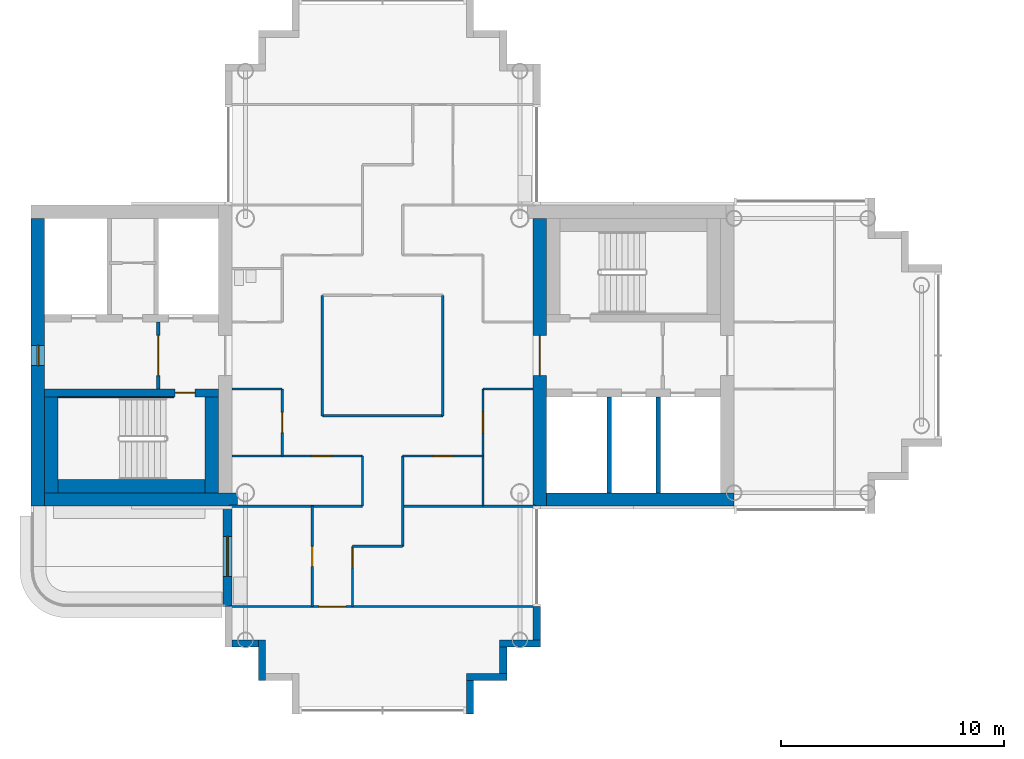
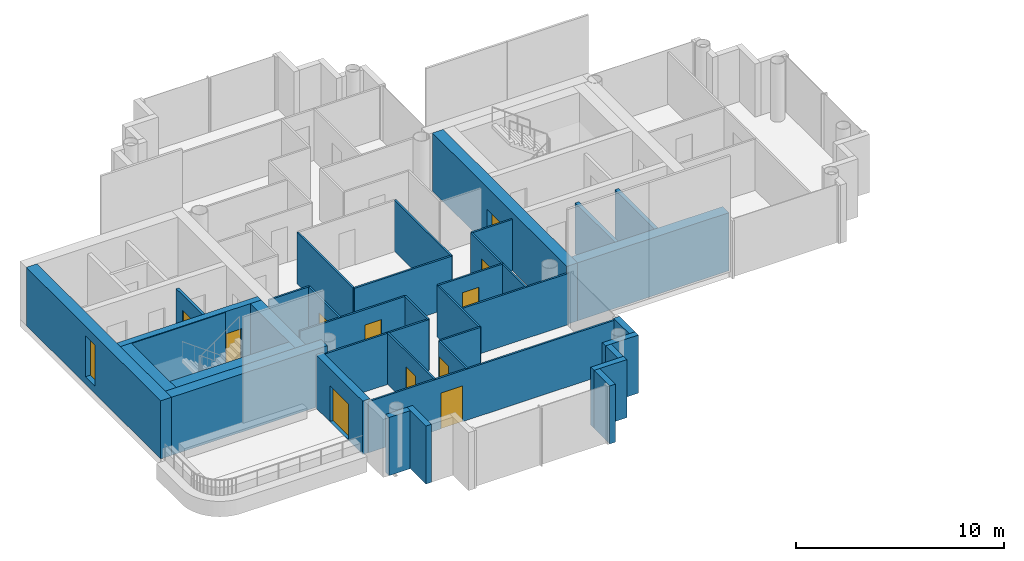
# One storey, part 6 of 18: 37 walls, 11 doors, 1 window, 12 openings.
"""IFC4 building model written with IfcOpenShell, lengths in metres."""

from ifc_helpers import new_model, si_unit, direction, frame, frame_2d, origin, place, context, subcontext, project, spatial, rectangle, extrude, material, layer, layer_set, type_object, element, fill, save


model = new_model("IFC4")

# Units and contexts
model_context = context("Model", 3, precision=1e-05, world=origin(), true_north=direction((0.0, 1.0)))
body_context = subcontext(model_context, "Body", "Model", "MODEL_VIEW")
ifc_project = project(units=[si_unit("LENGTHUNIT", "METRE"), si_unit("AREAUNIT", "SQUARE_METRE"), si_unit("VOLUMEUNIT", "CUBIC_METRE"), si_unit("PLANEANGLEUNIT", "RADIAN"), si_unit("MASSUNIT", "GRAM", prefix="KILO")], contexts=[model_context])

# Site, building, storey
site_placement = place(None, origin())
site = spatial("IfcSite", under=ifc_project, at=site_placement, CompositionType="ELEMENT")
building_placement = place(site_placement, origin())
building = spatial("IfcBuilding", under=site, at=building_placement, Name="Ipe Terrace Towers", CompositionType="ELEMENT")
storey_placement = place(building_placement, frame((0.0, 0.0, 219.800048828125)))
storey = spatial("IfcBuildingStorey", under=building, at=storey_placement, Name="L61", CompositionType="ELEMENT", Elevation=219.800048828125)

# Wall, opening, door
ifc_material_1 = material(Name="Concrete C40/50 with buff precast cladding", Category="concrete")
ifc_layer_1 = layer(ifc_material_1, 0.39990234375)
ifc_layer_set_1 = layer_set([ifc_layer_1], Name="BALCONY BAY WALL 400")
wall_type_1 = type_object("IfcWallType", Name="BALCONY BAY WALL 400", PredefinedType="STANDARD", material=ifc_layer_set_1)
wall_1_placement = place(storey_placement, frame((-42.949951171875, -6.75, -0.02001953125), z_axis=(0.0, 0.0, 1.0), x_axis=(0.0, -1.0, 0.0)))
wall_1 = element("IfcWall", 1, at=wall_1_placement, inside=storey, type_object=wall_type_1, Name="T1-W-L61-02a wall", PredefinedType="STANDARD", context=body_context, shape_type="SweptSolid", body=[
    extrude(rectangle(XDim=4.5, YDim=0.39990234375, at=frame_2d((2.25, 0.0))), origin(), (0.0, 0.0, 1.0), 3.119873046875),
])
opening_1_placement = place(wall_1_placement, frame((1.35009765625, 0.0, 0.02001953125)))
opening_1 = element("IfcOpeningElement", 2, at=opening_1_placement, cuts=wall_1, Name="Opening T1-D-L61-02", PredefinedType="OPENING", context=body_context, shape_type="SweptSolid", body=[
    extrude(rectangle(XDim=1.800048828125, YDim=2.10009765625, at=frame_2d((0.89990234375, 1.050048828125))), frame((0.0, 0.2099609375, 0.0), z_axis=(0.0, -1.0, 0.0), x_axis=(1.0, 0.0, 0.0)), (0.0, 0.0, 1.0), 0.419921875),
])
ifc_material_2 = material(Name="Aluminium alloy 6063-T6 framed glazed door", Category="aluminium")
door_type_1 = type_object("IfcDoorType", Name="BALCONY DOOR 1800 x 2100 LEFT", OperationType="SINGLE_SWING_LEFT", PredefinedType="DOOR", material=ifc_material_2)
door_1_placement = place(opening_1_placement, origin())
door_1 = element("IfcDoor", 3, at=door_1_placement, inside=storey, type_object=door_type_1, Name="DB1 door", OperationType="SINGLE_SWING_LEFT", OverallHeight=2.10009765625, OverallWidth=1.800048828125, PredefinedType="DOOR", context=body_context, shape_type="SweptSolid", body=[
    extrude(rectangle(XDim=1.800048828125, YDim=2.10009765625, at=frame_2d((0.89990234375, 1.050048828125))), frame((0.0, 0.02490234375, 0.0), z_axis=(0.0, -1.0, 0.0), x_axis=(1.0, 0.0, 0.0)), (0.0, 0.0, 1.0), 0.050048828125),
])
fill(opening_1, door_1)

# Walls
ifc_material_3 = material(Name="Concrete C40/50 with buff precast cladding", Category="concrete")
ifc_layer_2 = layer(ifc_material_3, 0.320068359375)
ifc_layer_set_2 = layer_set([ifc_layer_2], Name="BUFF CLADDING WALL 320")
wall_type_2 = type_object("IfcWallType", Name="BUFF CLADDING WALL 320", PredefinedType="STANDARD", material=ifc_layer_set_2)
wall_2_placement = place(storey_placement, frame((-42.75, -12.909912109375, -0.300048828125), z_axis=(0.0, 0.0, 1.0), x_axis=(1.0, 0.0, 0.0)))
element("IfcWall", 4, at=wall_2_placement, inside=storey, type_object=wall_type_2, Name="T1-W-L61-04a wall", PredefinedType="STANDARD", context=body_context, shape_type="SweptSolid", body=[
    extrude(rectangle(XDim=1.179931640625, YDim=0.320068359375, at=frame_2d((0.58984375, 0.0))), origin(), (0.0, 0.0, 1.0), 3.39990234375),
])
wall_3_placement = place(storey_placement, frame((-41.409912109375, -12.75, -0.300048828125), z_axis=(0.0, 0.0, 1.0), x_axis=(0.0, -1.0, 0.0)))
element("IfcWall", 5, at=wall_3_placement, inside=storey, type_object=wall_type_2, Name="T1-W-L61-05a wall", PredefinedType="STANDARD", context=body_context, shape_type="SweptSolid", body=[
    extrude(rectangle(XDim=1.820068359375, YDim=0.320068359375, at=frame_2d((0.91015625, 0.0))), origin(), (0.0, 0.0, 1.0), 3.39990234375),
])
wall_4_placement = place(storey_placement, frame((-32.090087890625, -16.070068359375, -0.300048828125), z_axis=(0.0, 0.0, 1.0), x_axis=(0.0, 1.0, 0.0)))
element("IfcWall", 6, at=wall_4_placement, inside=storey, type_object=wall_type_2, Name="T1-W-L61-09a wall", PredefinedType="STANDARD", context=body_context, shape_type="SweptSolid", body=[
    extrude(rectangle(XDim=1.5, YDim=0.320068359375, at=frame_2d((0.75, 0.0))), origin(), (0.0, 0.0, 1.0), 3.39990234375),
])
wall_5_placement = place(storey_placement, frame((-32.25, -14.409912109375, -0.300048828125), z_axis=(0.0, 0.0, 1.0), x_axis=(1.0, 0.0, 0.0)))
element("IfcWall", 7, at=wall_5_placement, inside=storey, type_object=wall_type_2, Name="T1-W-L61-10a wall", PredefinedType="STANDARD", context=body_context, shape_type="SweptSolid", body=[
    extrude(rectangle(XDim=1.820068359375, YDim=0.320068359375, at=frame_2d((0.91015625, 0.0))), origin(), (0.0, 0.0, 1.0), 3.39990234375),
])
wall_6_placement = place(storey_placement, frame((-30.590087890625, -14.25, -0.300048828125), z_axis=(0.0, 0.0, 1.0), x_axis=(0.0, 1.0, 0.0)))
element("IfcWall", 8, at=wall_6_placement, inside=storey, type_object=wall_type_2, Name="T1-W-L61-11a wall", PredefinedType="STANDARD", context=body_context, shape_type="SweptSolid", body=[
    extrude(rectangle(XDim=1.179931640625, YDim=0.320068359375, at=frame_2d((0.58984375, 0.0))), origin(), (0.0, 0.0, 1.0), 3.39990234375),
])
wall_7_placement = place(storey_placement, frame((-30.75, -12.909912109375, -0.300048828125), z_axis=(0.0, 0.0, 1.0), x_axis=(1.0, 0.0, 0.0)))
element("IfcWall", 9, at=wall_7_placement, inside=storey, type_object=wall_type_2, Name="T1-W-L61-12a wall", PredefinedType="STANDARD", context=body_context, shape_type="SweptSolid", body=[
    extrude(rectangle(XDim=1.820068359375, YDim=0.320068359375, at=frame_2d((0.91015625, 0.0))), origin(), (0.0, 0.0, 1.0), 3.39990234375),
])
wall_8_placement = place(storey_placement, frame((-29.090087890625, -12.75, -0.300048828125), z_axis=(0.0, 0.0, 1.0), x_axis=(0.0, 1.0, 0.0)))
element("IfcWall", 10, at=wall_8_placement, inside=storey, type_object=wall_type_2, Name="T1-W-L61-13a wall", PredefinedType="STANDARD", context=body_context, shape_type="SweptSolid", body=[
    extrude(rectangle(XDim=1.5, YDim=0.320068359375, at=frame_2d((0.75, 0.0))), origin(), (0.0, 0.0, 1.0), 3.39990234375),
])

# Wall, opening, door
ifc_material_4 = material(Name="Gypsum board partition", Category="plasterboard")
ifc_layer_3 = layer(ifc_material_4, 0.10009765625)
ifc_layer_set_3 = layer_set([ifc_layer_3], Name="Gypsum board partition 100 mm")
wall_type_3 = type_object("IfcWallType", Name="Gypsum board partition 100 mm", PredefinedType="PARTITIONING", material=ifc_layer_set_3)
wall_9_placement = place(storey_placement, frame((-40.5, -4.5, 0.0), z_axis=(0.0, 0.0, 1.0), x_axis=(0.0, 1.0, 0.0)))
wall_9 = element("IfcWall", 11, at=wall_9_placement, inside=storey, type_object=wall_type_3, Name="Gypsum board partition T1 L61 W01", PredefinedType="PARTITIONING", context=body_context, shape_type="SweptSolid", body=[
    extrude(rectangle(XDim=3.0, YDim=0.10009765625, at=frame_2d((1.5, 0.0))), origin(), (0.0, 0.0, 1.0), 3.0),
])
opening_2_placement = place(wall_9_placement, frame((1.050048828125, 0.0, 0.0)))
opening_2 = element("IfcOpeningElement", 12, at=opening_2_placement, cuts=wall_9, Name="Opening T1-Z4F-06", PredefinedType="OPENING", context=body_context, shape_type="SweptSolid", body=[
    extrude(rectangle(XDim=0.89990234375, YDim=2.10009765625, at=frame_2d((0.449951171875, 1.050048828125))), frame((0.0, 0.06005859375, 0.0), z_axis=(0.0, -1.0, 0.0), x_axis=(1.0, 0.0, 0.0)), (0.0, 0.0, 1.0), 0.1201171875),
])
ifc_material_5 = material(Name="Timber door leaf", Category="wood")
door_type_2 = type_object("IfcDoorType", Name="Lounge door 900 x 2100", OperationType="NOTDEFINED", PredefinedType="DOOR", material=ifc_material_5)
door_2_placement = place(opening_2_placement, origin())
door_2 = element("IfcDoor", 13, at=door_2_placement, inside=storey, type_object=door_type_2, Name="Lounge door T1-Z4F-06", OperationType="SINGLE_SWING_LEFT", OverallHeight=2.10009765625, OverallWidth=0.89990234375, PredefinedType="DOOR", context=body_context, shape_type="SweptSolid", body=[
    extrude(rectangle(XDim=0.89990234375, YDim=2.10009765625, at=frame_2d((0.449951171875, 1.050048828125))), frame((0.0, 0.02490234375, 0.0), z_axis=(0.0, -1.0, 0.0), x_axis=(1.0, 0.0, 0.0)), (0.0, 0.0, 1.0), 0.050048828125),
])
fill(opening_2, door_2)

wall_10_placement = place(storey_placement, frame((-39.14990234375, -11.25, 0.0), z_axis=(0.0, 0.0, 1.0), x_axis=(0.0, 1.0, 0.0)))
wall_10 = element("IfcWall", 14, at=wall_10_placement, inside=storey, type_object=wall_type_3, Name="Gypsum board partition T1 L61 W03", PredefinedType="PARTITIONING", context=body_context, shape_type="SweptSolid", body=[
    extrude(rectangle(XDim=4.5, YDim=0.10009765625, at=frame_2d((2.25, 0.0))), origin(), (0.0, 0.0, 1.0), 3.0),
])
opening_3_placement = place(wall_10_placement, frame((1.800048828125, 0.0, 0.0)))
opening_3 = element("IfcOpeningElement", 15, at=opening_3_placement, cuts=wall_10, Name="Opening T1-Z4F-13", PredefinedType="OPENING", context=body_context, shape_type="SweptSolid", body=[
    extrude(rectangle(XDim=0.89990234375, YDim=2.10009765625, at=frame_2d((0.449951171875, 1.050048828125))), frame((0.0, 0.06005859375, 0.0), z_axis=(0.0, -1.0, 0.0), x_axis=(1.0, 0.0, 0.0)), (0.0, 0.0, 1.0), 0.1201171875),
])
door_3_placement = place(opening_3_placement, origin())
door_3 = element("IfcDoor", 16, at=door_3_placement, inside=storey, type_object=door_type_2, Name="Lounge door T1-Z4F-13", OperationType="SINGLE_SWING_LEFT", OverallHeight=2.10009765625, OverallWidth=0.89990234375, PredefinedType="DOOR", context=body_context, shape_type="SweptSolid", body=[
    extrude(rectangle(XDim=0.89990234375, YDim=2.10009765625, at=frame_2d((0.449951171875, 1.050048828125))), frame((0.0, 0.02490234375, 0.0), z_axis=(0.0, -1.0, 0.0), x_axis=(1.0, 0.0, 0.0)), (0.0, 0.0, 1.0), 0.050048828125),
])
fill(opening_3, door_3)

# Wall
wall_11_placement = place(storey_placement, frame((-38.699951171875, -2.699951171875, 0.0), z_axis=(0.0, 0.0, 1.0), x_axis=(0.0, 1.0, 0.0)))
element("IfcWall", 17, at=wall_11_placement, inside=storey, type_object=wall_type_3, Name="Gypsum board partition T1 L61 W04", PredefinedType="PARTITIONING", context=body_context, shape_type="SweptSolid", body=[
    extrude(rectangle(XDim=5.39990234375, YDim=0.10009765625, at=frame_2d((2.699951171875, 0.0))), origin(), (0.0, 0.0, 1.0), 3.0),
])

# Wall, opening, door
wall_12_placement = place(storey_placement, frame((-37.35009765625, -11.25, 0.0), z_axis=(0.0, 0.0, 1.0), x_axis=(0.0, 1.0, 0.0)))
wall_12 = element("IfcWall", 18, at=wall_12_placement, inside=storey, type_object=wall_type_3, Name="Gypsum board partition T1 L61 W05", PredefinedType="PARTITIONING", context=body_context, shape_type="SweptSolid", body=[
    extrude(rectangle(XDim=2.699951171875, YDim=0.10009765625, at=frame_2d((1.35009765625, 0.0))), origin(), (0.0, 0.0, 1.0), 3.0),
])
opening_4_placement = place(wall_12_placement, frame((1.72998046875, 0.0, 0.0)))
opening_4 = element("IfcOpeningElement", 19, at=opening_4_placement, cuts=wall_12, Name="Opening T1-Z4F-12", PredefinedType="OPENING", context=body_context, shape_type="SweptSolid", body=[
    extrude(rectangle(XDim=0.89990234375, YDim=2.10009765625, at=frame_2d((0.449951171875, 1.050048828125))), frame((0.0, 0.06005859375, 0.0), z_axis=(0.0, -1.0, 0.0), x_axis=(1.0, 0.0, 0.0)), (0.0, 0.0, 1.0), 0.1201171875),
])
door_4_placement = place(opening_4_placement, origin())
door_4 = element("IfcDoor", 20, at=door_4_placement, inside=storey, type_object=door_type_2, Name="Lounge door T1-Z4F-12", OperationType="SINGLE_SWING_RIGHT", OverallHeight=2.10009765625, OverallWidth=0.89990234375, PredefinedType="DOOR", context=body_context, shape_type="SweptSolid", body=[
    extrude(rectangle(XDim=0.89990234375, YDim=2.10009765625, at=frame_2d((0.449951171875, 1.050048828125))), frame((0.0, 0.02490234375, 0.0), z_axis=(0.0, -1.0, 0.0), x_axis=(1.0, 0.0, 0.0)), (0.0, 0.0, 1.0), 0.050048828125),
])
fill(opening_4, door_4)

# Walls
wall_13_placement = place(storey_placement, frame((-36.89990234375, -6.75, 0.0), z_axis=(0.0, 0.0, 1.0), x_axis=(0.0, 1.0, 0.0)))
element("IfcWall", 21, at=wall_13_placement, inside=storey, type_object=wall_type_3, Name="Gypsum board partition T1 L61 W06", PredefinedType="PARTITIONING", context=body_context, shape_type="SweptSolid", body=[
    extrude(rectangle(XDim=2.25, YDim=0.10009765625, at=frame_2d((1.125, 0.0))), origin(), (0.0, 0.0, 1.0), 3.0),
])
wall_14_placement = place(storey_placement, frame((-35.10009765625, -8.550048828125, 0.0), z_axis=(0.0, 0.0, 1.0), x_axis=(0.0, 1.0, 0.0)))
element("IfcWall", 22, at=wall_14_placement, inside=storey, type_object=wall_type_3, Name="Gypsum board partition T1 L61 W08", PredefinedType="PARTITIONING", context=body_context, shape_type="SweptSolid", body=[
    extrude(rectangle(XDim=4.050048828125, YDim=0.10009765625, at=frame_2d((2.02490234375, 0.0))), origin(), (0.0, 0.0, 1.0), 3.0),
])
wall_15_placement = place(storey_placement, frame((-33.300048828125, -2.699951171875, 0.0), z_axis=(0.0, 0.0, 1.0), x_axis=(0.0, 1.0, 0.0)))
element("IfcWall", 23, at=wall_15_placement, inside=storey, type_object=wall_type_3, Name="Gypsum board partition T1 L61 W11", PredefinedType="PARTITIONING", context=body_context, shape_type="SweptSolid", body=[
    extrude(rectangle(XDim=5.39990234375, YDim=0.10009765625, at=frame_2d((2.699951171875, 0.0))), origin(), (0.0, 0.0, 1.0), 3.0),
])

# Wall, opening, door
wall_16_placement = place(storey_placement, frame((-31.5, -6.75, 0.0), z_axis=(0.0, 0.0, 1.0), x_axis=(0.0, 1.0, 0.0)))
wall_16 = element("IfcWall", 24, at=wall_16_placement, inside=storey, type_object=wall_type_3, Name="Gypsum board partition T1 L61 W13", PredefinedType="PARTITIONING", context=body_context, shape_type="SweptSolid", body=[
    extrude(rectangle(XDim=5.25, YDim=0.10009765625, at=frame_2d((2.625, 0.0))), origin(), (0.0, 0.0, 1.0), 3.0),
])
opening_5_placement = place(wall_16_placement, frame((3.300048828125, 0.0, 0.0)))
opening_5 = element("IfcOpeningElement", 25, at=opening_5_placement, cuts=wall_16, Name="Opening T1-Z4F-08", PredefinedType="OPENING", context=body_context, shape_type="SweptSolid", body=[
    extrude(rectangle(XDim=0.89990234375, YDim=2.10009765625, at=frame_2d((0.449951171875, 1.050048828125))), frame((0.0, 0.06005859375, 0.0), z_axis=(0.0, -1.0, 0.0), x_axis=(1.0, 0.0, 0.0)), (0.0, 0.0, 1.0), 0.1201171875),
])
door_5_placement = place(opening_5_placement, origin())
door_5 = element("IfcDoor", 26, at=door_5_placement, inside=storey, type_object=door_type_2, Name="Lounge door T1-Z4F-08", OperationType="SINGLE_SWING_RIGHT", OverallHeight=2.10009765625, OverallWidth=0.89990234375, PredefinedType="DOOR", context=body_context, shape_type="SweptSolid", body=[
    extrude(rectangle(XDim=0.89990234375, YDim=2.10009765625, at=frame_2d((0.449951171875, 1.050048828125))), frame((0.0, 0.02490234375, 0.0), z_axis=(0.0, -1.0, 0.0), x_axis=(1.0, 0.0, 0.0)), (0.0, 0.0, 1.0), 0.050048828125),
])
fill(opening_5, door_5)

wall_17_placement = place(storey_placement, frame((-42.85009765625, -11.25, 0.0), z_axis=(0.0, 0.0, 1.0), x_axis=(1.0, 0.0, 0.0)))
wall_17 = element("IfcWall", 27, at=wall_17_placement, inside=storey, type_object=wall_type_3, Name="Gypsum board partition T1 L61 W16", PredefinedType="PARTITIONING", context=body_context, shape_type="SweptSolid", body=[
    extrude(rectangle(XDim=13.7001953125, YDim=0.10009765625, at=frame_2d((6.85009765625, 0.0))), origin(), (0.0, 0.0, 1.0), 3.0),
])
opening_6_placement = place(wall_17_placement, frame((4.0, 0.0, 0.0)))
opening_6 = element("IfcOpeningElement", 28, at=opening_6_placement, cuts=wall_17, Name="Opening T1-Z4F-14", PredefinedType="OPENING", context=body_context, shape_type="SweptSolid", body=[
    extrude(rectangle(XDim=1.199951171875, YDim=2.10009765625, at=frame_2d((0.60009765625, 1.050048828125))), frame((0.0, 0.06005859375, 0.0), z_axis=(0.0, -1.0, 0.0), x_axis=(1.0, 0.0, 0.0)), (0.0, 0.0, 1.0), 0.1201171875),
])
ifc_material_6 = material(Name="Timber door leaf", Category="wood")
door_type_3 = type_object("IfcDoorType", Name="Lounge door 1200 x 2100", OperationType="NOTDEFINED", PredefinedType="DOOR", material=ifc_material_6)
door_6_placement = place(opening_6_placement, origin())
door_6 = element("IfcDoor", 29, at=door_6_placement, inside=storey, type_object=door_type_3, Name="Lounge door T1-Z4F-14", OperationType="SINGLE_SWING_LEFT", OverallHeight=2.10009765625, OverallWidth=1.199951171875, PredefinedType="DOOR", context=body_context, shape_type="SweptSolid", body=[
    extrude(rectangle(XDim=1.199951171875, YDim=2.10009765625, at=frame_2d((0.60009765625, 1.050048828125))), frame((0.0, 0.02490234375, 0.0), z_axis=(0.0, -1.0, 0.0), x_axis=(1.0, 0.0, 0.0)), (0.0, 0.0, 1.0), 0.050048828125),
])
fill(opening_6, door_6)

# Walls
wall_18_placement = place(storey_placement, frame((-37.35009765625, -8.550048828125, 0.0), z_axis=(0.0, 0.0, 1.0), x_axis=(1.0, 0.0, 0.0)))
element("IfcWall", 30, at=wall_18_placement, inside=storey, type_object=wall_type_3, Name="Gypsum board partition T1 L61 W17", PredefinedType="PARTITIONING", context=body_context, shape_type="SweptSolid", body=[
    extrude(rectangle(XDim=2.25, YDim=0.10009765625, at=frame_2d((1.125, 0.0))), origin(), (0.0, 0.0, 1.0), 3.0),
])
for number, where, z_axis, x_axis, name in (
    (31, (-42.85009765625, -6.75, 0.0), (0.0, 0.0, 1.0), (1.0, 0.0, 0.0), "Gypsum board partition T1 L61 W18"),
    (32, (-35.10009765625, -6.75, 0.0), (0.0, 0.0, 1.0), (1.0, 0.0, 0.0), "Gypsum board partition T1 L61 W19"),
):
    element("IfcWall", number, at=place(storey_placement, frame(where, z_axis=z_axis, x_axis=x_axis)), inside=storey, type_object=wall_type_3, Name=name, PredefinedType="PARTITIONING", context=body_context, shape_type="SweptSolid", body=[
        extrude(rectangle(XDim=5.9501953125, YDim=0.10009765625, at=frame_2d((2.97509765625, 0.0))), origin(), (0.0, 0.0, 1.0), 3.0),
    ])

# Wall, opening, door
wall_19_placement = place(storey_placement, frame((-42.75, -4.5, 0.0), z_axis=(0.0, 0.0, 1.0), x_axis=(1.0, 0.0, 0.0)))
wall_19 = element("IfcWall", 33, at=wall_19_placement, inside=storey, type_object=wall_type_3, Name="Gypsum board partition T1 L61 W20", PredefinedType="PARTITIONING", context=body_context, shape_type="SweptSolid", body=[
    extrude(rectangle(XDim=5.85009765625, YDim=0.10009765625, at=frame_2d((2.925048828125, 0.0))), origin(), (0.0, 0.0, 1.0), 3.0),
])
opening_7_placement = place(wall_19_placement, frame((3.60009765625, 0.0, 0.0)))
opening_7 = element("IfcOpeningElement", 34, at=opening_7_placement, cuts=wall_19, Name="Opening T1-Z4F-05", PredefinedType="OPENING", context=body_context, shape_type="SweptSolid", body=[
    extrude(rectangle(XDim=0.89990234375, YDim=2.10009765625, at=frame_2d((0.449951171875, 1.050048828125))), frame((0.0, 0.06005859375, 0.0), z_axis=(0.0, -1.0, 0.0), x_axis=(1.0, 0.0, 0.0)), (0.0, 0.0, 1.0), 0.1201171875),
])
door_7_placement = place(opening_7_placement, origin())
door_7 = element("IfcDoor", 35, at=door_7_placement, inside=storey, type_object=door_type_2, Name="Lounge door T1-Z4F-05", OperationType="SINGLE_SWING_RIGHT", OverallHeight=2.10009765625, OverallWidth=0.89990234375, PredefinedType="DOOR", context=body_context, shape_type="SweptSolid", body=[
    extrude(rectangle(XDim=0.89990234375, YDim=2.10009765625, at=frame_2d((0.449951171875, 1.050048828125))), frame((0.0, 0.02490234375, 0.0), z_axis=(0.0, -1.0, 0.0), x_axis=(1.0, 0.0, 0.0)), (0.0, 0.0, 1.0), 0.050048828125),
])
fill(opening_7, door_7)

wall_20_placement = place(storey_placement, frame((-35.10009765625, -4.5, 0.0), z_axis=(0.0, 0.0, 1.0), x_axis=(1.0, 0.0, 0.0)))
wall_20 = element("IfcWall", 36, at=wall_20_placement, inside=storey, type_object=wall_type_3, Name="Gypsum board partition T1 L61 W21", PredefinedType="PARTITIONING", context=body_context, shape_type="SweptSolid", body=[
    extrude(rectangle(XDim=3.60009765625, YDim=0.10009765625, at=frame_2d((1.800048828125, 0.0))), origin(), (0.0, 0.0, 1.0), 3.0),
])
opening_8_placement = place(wall_20_placement, frame((1.35009765625, 0.0, 0.0)))
opening_8 = element("IfcOpeningElement", 37, at=opening_8_placement, cuts=wall_20, Name="Opening T1-Z4F-07", PredefinedType="OPENING", context=body_context, shape_type="SweptSolid", body=[
    extrude(rectangle(XDim=0.89990234375, YDim=2.10009765625, at=frame_2d((0.449951171875, 1.050048828125))), frame((0.0, 0.06005859375, 0.0), z_axis=(0.0, -1.0, 0.0), x_axis=(1.0, 0.0, 0.0)), (0.0, 0.0, 1.0), 0.1201171875),
])
door_8_placement = place(opening_8_placement, origin())
door_8 = element("IfcDoor", 38, at=door_8_placement, inside=storey, type_object=door_type_2, Name="Lounge door T1-Z4F-07", OperationType="SINGLE_SWING_RIGHT", OverallHeight=2.10009765625, OverallWidth=0.89990234375, PredefinedType="DOOR", context=body_context, shape_type="SweptSolid", body=[
    extrude(rectangle(XDim=0.89990234375, YDim=2.10009765625, at=frame_2d((0.449951171875, 1.050048828125))), frame((0.0, 0.02490234375, 0.0), z_axis=(0.0, -1.0, 0.0), x_axis=(1.0, 0.0, 0.0)), (0.0, 0.0, 1.0), 0.050048828125),
])
fill(opening_8, door_8)

# Walls
wall_21_placement = place(storey_placement, frame((-38.699951171875, -2.699951171875, 0.0), z_axis=(0.0, 0.0, 1.0), x_axis=(1.0, 0.0, 0.0)))
element("IfcWall", 39, at=wall_21_placement, inside=storey, type_object=wall_type_3, Name="Gypsum board partition T1 L61 W22", PredefinedType="PARTITIONING", context=body_context, shape_type="SweptSolid", body=[
    extrude(rectangle(XDim=5.39990234375, YDim=0.10009765625, at=frame_2d((2.699951171875, 0.0))), origin(), (0.0, 0.0, 1.0), 3.0),
])
for number, where, z_axis, x_axis, name in (
    (40, (-42.75, -1.5, 0.0), (0.0, 0.0, 1.0), (1.0, 0.0, 0.0), "Gypsum board partition T1 L61 W23"),
    (41, (-31.5, -1.5, 0.0), (0.0, 0.0, 1.0), (1.0, 0.0, 0.0), "Gypsum board partition T1 L61 W24"),
):
    element("IfcWall", number, at=place(storey_placement, frame(where, z_axis=z_axis, x_axis=x_axis)), inside=storey, type_object=wall_type_3, Name=name, PredefinedType="PARTITIONING", context=body_context, shape_type="SweptSolid", body=[
        extrude(rectangle(XDim=2.25, YDim=0.10009765625, at=frame_2d((1.125, 0.0))), origin(), (0.0, 0.0, 1.0), 3.0),
    ])

# Wall, opening, door
ifc_material_7 = material(Name="Gypsum board partition", Category="plasterboard")
ifc_layer_4 = layer(ifc_material_7, 0.14990234375)
ifc_layer_set_4 = layer_set([ifc_layer_4], Name="Gypsum board partition 150 mm")
wall_type_4 = type_object("IfcWallType", Name="Gypsum board partition 150 mm", PredefinedType="PARTITIONING", material=ifc_layer_set_4)
wall_22_placement = place(storey_placement, frame((-46.050048828125, 1.5, 0.0), z_axis=(0.0, 0.0, 1.0), x_axis=(0.0, -1.0, 0.0)))
wall_22 = element("IfcWall", 42, at=wall_22_placement, inside=storey, type_object=wall_type_4, Name="Gypsum board partition T1 L61 t1c2-lobby-wall", PredefinedType="PARTITIONING", context=body_context, shape_type="SweptSolid", body=[
    extrude(rectangle(XDim=3.0, YDim=0.14990234375, at=frame_2d((1.5, 0.0))), origin(), (0.0, 0.0, 1.0), 3.0),
])
opening_9_placement = place(wall_22_placement, frame((0.60009765625, 0.0, 0.0)))
opening_9 = element("IfcOpeningElement", 43, at=opening_9_placement, cuts=wall_22, Name="Opening T1C2-VD", PredefinedType="OPENING", context=body_context, shape_type="SweptSolid", body=[
    extrude(rectangle(XDim=1.800048828125, YDim=2.10009765625, at=frame_2d((0.89990234375, 1.050048828125))), frame((0.0, 0.0849609375, 0.0), z_axis=(0.0, -1.0, 0.0), x_axis=(1.0, 0.0, 0.0)), (0.0, 0.0, 1.0), 0.169921875),
])
ifc_material_8 = material(Name="Fire-rated timber door leaf", Category="wood")
door_type_4 = type_object("IfcDoorType", Name="Lobby door 1800 x 2100 FD60", OperationType="NOTDEFINED", PredefinedType="DOOR", material=ifc_material_8)
door_9_placement = place(opening_9_placement, origin())
door_9 = element("IfcDoor", 44, at=door_9_placement, inside=storey, type_object=door_type_4, Name="Lobby door T1C2-VD", OperationType="SINGLE_SWING_LEFT", OverallHeight=2.10009765625, OverallWidth=1.800048828125, PredefinedType="DOOR", context=body_context, shape_type="SweptSolid", body=[
    extrude(rectangle(XDim=1.800048828125, YDim=2.10009765625, at=frame_2d((0.89990234375, 1.050048828125))), frame((0.0, 0.02490234375, 0.0), z_axis=(0.0, -1.0, 0.0), x_axis=(1.0, 0.0, 0.0)), (0.0, 0.0, 1.0), 0.050048828125),
])
fill(opening_9, door_9)

# Walls
ifc_material_9 = material(Name="Gypsum board party wall", Category="plasterboard")
ifc_layer_5 = layer(ifc_material_9, 0.199951171875)
ifc_layer_set_5 = layer_set([ifc_layer_5], Name="Gypsum board party wall 200 mm")
wall_type_5 = type_object("IfcWallType", Name="Gypsum board party wall 200 mm", PredefinedType="SOLIDWALL", material=ifc_layer_set_5)
for number, where, z_axis, x_axis, name in (
    (45, (-25.85009765625, -6.14990234375, 0.0), (0.0, 0.0, 1.0), (0.0, 1.0, 0.0), "Gypsum board party wall T1 L61 t1c1-shaft-div1"),
    (46, (-23.64990234375, -6.14990234375, 0.0), (0.0, 0.0, 1.0), (0.0, 1.0, 0.0), "Gypsum board party wall T1 L61 t1c1-shaft-div2"),
):
    element("IfcWall", number, at=place(storey_placement, frame(where, z_axis=z_axis, x_axis=x_axis)), inside=storey, type_object=wall_type_5, Name=name, PredefinedType="SOLIDWALL", context=body_context, shape_type="SweptSolid", body=[
        extrude(rectangle(XDim=4.2998046875, YDim=0.199951171875, at=frame_2d((2.14990234375, 0.0))), origin(), (0.0, 0.0, 1.0), 3.0),
    ])

# Wall, opening, door
ifc_material_10 = material(Name="Concrete C40/50", Category="concrete")
ifc_layer_6 = layer(ifc_material_10, 0.35009765625)
ifc_layer_set_6 = layer_set([ifc_layer_6], Name="RW350 CORE SPINE WALL 350 C40-50")
wall_type_6 = type_object("IfcWallType", Name="RW350 CORE SPINE WALL 350 C40-50", PredefinedType="SHEAR", material=ifc_layer_set_6)
wall_23_placement = place(storey_placement, frame((-51.14990234375, -1.675048828125, 0.0), z_axis=(0.0, 0.0, 1.0), x_axis=(1.0, 0.0, 0.0)))
wall_23 = element("IfcWall", 47, at=wall_23_placement, inside=storey, type_object=wall_type_6, Name="Core spine wall T1-C2-Z4-SW1", PredefinedType="SHEAR", context=body_context, shape_type="SweptSolid", body=[
    extrude(rectangle(XDim=7.7998046875, YDim=0.35009765625, at=frame_2d((3.89990234375, 0.0))), origin(), (0.0, 0.0, 1.0), 3.39990234375),
])
opening_10_placement = place(wall_23_placement, frame((5.85009765625, 0.0, 0.0)))
opening_10 = element("IfcOpeningElement", 48, at=opening_10_placement, cuts=wall_23, Name="Opening T1C2-SD", PredefinedType="OPENING", context=body_context, shape_type="SweptSolid", body=[
    extrude(rectangle(XDim=0.89990234375, YDim=2.10009765625, at=frame_2d((0.449951171875, 1.050048828125))), frame((0.0, 0.18505859375, 0.0), z_axis=(0.0, -1.0, 0.0), x_axis=(1.0, 0.0, 0.0)), (0.0, 0.0, 1.0), 0.3701171875),
])
ifc_material_11 = material(Name="Fire-rated timber door leaf", Category="wood")
door_type_5 = type_object("IfcDoorType", Name="Stair door 900 x 2100 FD60", OperationType="NOTDEFINED", PredefinedType="DOOR", material=ifc_material_11)
door_10_placement = place(opening_10_placement, origin())
door_10 = element("IfcDoor", 49, at=door_10_placement, inside=storey, type_object=door_type_5, Name="Stair door T1C2-SD", OperationType="SINGLE_SWING_RIGHT", OverallHeight=2.10009765625, OverallWidth=0.89990234375, PredefinedType="DOOR", context=body_context, shape_type="SweptSolid", body=[
    extrude(rectangle(XDim=0.89990234375, YDim=2.10009765625, at=frame_2d((0.449951171875, 1.050048828125))), frame((0.0, 0.02490234375, 0.0), z_axis=(0.0, -1.0, 0.0), x_axis=(1.0, 0.0, 0.0)), (0.0, 0.0, 1.0), 0.050048828125),
])
fill(opening_10, door_10)

# Walls
ifc_material_12 = material(Name="Concrete C40/50", Category="concrete")
ifc_layer_7 = layer(ifc_material_12, 0.050048828125)
ifc_layer_set_7 = layer_set([ifc_layer_7], Name="RW50 CORE INFILL WALL 50 C40-50")
wall_type_7 = type_object("IfcWallType", Name="RW50 CORE INFILL WALL 50 C40-50", PredefinedType="SHEAR", material=ifc_layer_set_7)
wall_24_placement = place(storey_placement, frame((-45.35009765625, -1.875, 0.0), z_axis=(0.0, 0.0, 1.0), x_axis=(-1.0, 0.0, 0.0)))
element("IfcWall", 50, at=wall_24_placement, inside=storey, type_object=wall_type_7, Name="Core infill wall T1-C2-spine-b", PredefinedType="SHEAR", context=body_context, shape_type="SweptSolid", body=[
    extrude(rectangle(XDim=5.199951171875, YDim=0.050048828125, at=frame_2d((2.60009765625, 0.0))), origin(), (0.0, 0.0, 1.0), 3.39990234375),
])
ifc_material_13 = material(Name="Concrete C40/50", Category="concrete")
ifc_layer_8 = layer(ifc_material_13, 0.60009765625)
ifc_layer_set_8 = layer_set([ifc_layer_8], Name="RW600 CORE INFILL WALL 600 C40-50")
wall_type_8 = type_object("IfcWallType", Name="RW600 CORE INFILL WALL 600 C40-50", PredefinedType="SHEAR", material=ifc_layer_set_8)
wall_25_placement = place(storey_placement, frame((-50.85009765625, -1.85009765625, 0.0), z_axis=(0.0, 0.0, 1.0), x_axis=(0.0, -1.0, 0.0)))
element("IfcWall", 51, at=wall_25_placement, inside=storey, type_object=wall_type_8, Name="Core infill wall T1-C2-far", PredefinedType="SHEAR", context=body_context, shape_type="SweptSolid", body=[
    extrude(rectangle(XDim=4.2998046875, YDim=0.60009765625, at=frame_2d((2.14990234375, 0.0))), origin(), (0.0, 0.0, 1.0), 3.39990234375),
])
wall_26_placement = place(storey_placement, frame((-43.949951171875, -5.85009765625, 0.0), z_axis=(0.0, 0.0, 1.0), x_axis=(-1.0, 0.0, 0.0)))
element("IfcWall", 52, at=wall_26_placement, inside=storey, type_object=wall_type_8, Name="Core infill wall T1-C2-back", PredefinedType="SHEAR", context=body_context, shape_type="SweptSolid", body=[
    extrude(rectangle(XDim=6.60009765625, YDim=0.60009765625, at=frame_2d((3.300048828125, 0.0))), origin(), (0.0, 0.0, 1.0), 3.39990234375),
])
wall_27_placement = place(storey_placement, frame((-43.64990234375, -1.85009765625, 0.0), z_axis=(0.0, 0.0, 1.0), x_axis=(0.0, -1.0, 0.0)))
element("IfcWall", 53, at=wall_27_placement, inside=storey, type_object=wall_type_8, Name="Core infill wall T1-C2-near", PredefinedType="SHEAR", context=body_context, shape_type="SweptSolid", body=[
    extrude(rectangle(XDim=4.2998046875, YDim=0.60009765625, at=frame_2d((2.14990234375, 0.0))), origin(), (0.0, 0.0, 1.0), 3.39990234375),
])
ifc_material_14 = material(Name="Concrete C40/50", Category="concrete")
ifc_layer_9 = layer(ifc_material_14, 0.60009765625)
ifc_layer_set_9 = layer_set([ifc_layer_9], Name="RW600 CORE WALL 600 C40-50")
wall_type_9 = type_object("IfcWallType", Name="RW600 CORE WALL 600 C40-50", PredefinedType="SHEAR", material=ifc_layer_set_9)
wall_28_placement = place(storey_placement, frame((-28.64990234375, -6.449951171875, 0.0), z_axis=(0.0, 0.0, 1.0), x_axis=(1.0, 0.0, 0.0)))
element("IfcWall", 54, at=wall_28_placement, inside=storey, type_object=wall_type_9, Name="Core wall T1-C1-Z4-W01", PredefinedType="SHEAR", context=body_context, shape_type="SweptSolid", body=[
    extrude(rectangle(XDim=8.39990234375, YDim=0.60009765625, at=frame_2d((4.199951171875, 0.0))), origin(), (0.0, 0.0, 1.0), 3.39990234375),
])

# Wall, opening, door
wall_29_placement = place(storey_placement, frame((-28.949951171875, 6.14990234375, 0.0), z_axis=(0.0, 0.0, 1.0), x_axis=(0.0, -1.0, 0.0)))
wall_29 = element("IfcWall", 55, at=wall_29_placement, inside=storey, type_object=wall_type_9, Name="Core wall T1-C1-Z4-W04", PredefinedType="SHEAR", context=body_context, shape_type="SweptSolid", body=[
    extrude(rectangle(XDim=12.89990234375, YDim=0.60009765625, at=frame_2d((6.449951171875, 0.0))), origin(), (0.0, 0.0, 1.0), 3.39990234375),
])
opening_11_placement = place(wall_29_placement, frame((5.25, 0.0, 0.0)))
opening_11 = element("IfcOpeningElement", 56, at=opening_11_placement, cuts=wall_29, Name="Opening T1C1-ND", PredefinedType="OPENING", context=body_context, shape_type="SweptSolid", body=[
    extrude(rectangle(XDim=1.800048828125, YDim=2.10009765625, at=frame_2d((0.89990234375, 1.050048828125))), frame((0.0, 0.31005859375, 0.0), z_axis=(0.0, -1.0, 0.0), x_axis=(1.0, 0.0, 0.0)), (0.0, 0.0, 1.0), 0.6201171875),
])
ifc_material_15 = material(Name="Fire-rated timber door leaf", Category="wood")
door_type_6 = type_object("IfcDoorType", Name="Fire door 1800 x 2100 FD30S", OperationType="NOTDEFINED", PredefinedType="DOOR", material=ifc_material_15)
door_11_placement = place(opening_11_placement, origin())
door_11 = element("IfcDoor", 57, at=door_11_placement, inside=storey, type_object=door_type_6, Name="Fire door T1C1-ND", OperationType="SINGLE_SWING_LEFT", OverallHeight=2.10009765625, OverallWidth=1.800048828125, PredefinedType="DOOR", context=body_context, shape_type="SweptSolid", body=[
    extrude(rectangle(XDim=1.800048828125, YDim=2.10009765625, at=frame_2d((0.89990234375, 1.050048828125))), frame((0.0, 0.02490234375, 0.0), z_axis=(0.0, -1.0, 0.0), x_axis=(1.0, 0.0, 0.0)), (0.0, 0.0, 1.0), 0.050048828125),
])
fill(opening_11, door_11)

# Wall
wall_30_placement = place(storey_placement, frame((-51.14990234375, -6.449951171875, 0.0), z_axis=(0.0, 0.0, 1.0), x_axis=(1.0, 0.0, 0.0)))
element("IfcWall", 58, at=wall_30_placement, inside=storey, type_object=wall_type_9, Name="Core wall T1-C2-Z4-W01", PredefinedType="SHEAR", context=body_context, shape_type="SweptSolid", body=[
    extrude(rectangle(XDim=8.64794921875, YDim=0.60009765625, at=frame_2d((4.323974609375, 0.0))), origin(), (0.0, 0.0, 1.0), 3.39990234375),
])

# Wall, opening, window
wall_31_placement = place(storey_placement, frame((-51.449951171875, 6.14990234375, 0.0), z_axis=(0.0, 0.0, 1.0), x_axis=(0.0, -1.0, 0.0)))
wall_31 = element("IfcWall", 59, at=wall_31_placement, inside=storey, type_object=wall_type_9, Name="Core wall T1-C2-Z4-W04", PredefinedType="SHEAR", context=body_context, shape_type="SweptSolid", body=[
    extrude(rectangle(XDim=12.89990234375, YDim=0.60009765625, at=frame_2d((6.449951171875, 0.0))), origin(), (0.0, 0.0, 1.0), 3.39990234375),
])
opening_12_placement = place(wall_31_placement, frame((5.699951171875, 0.0, 0.449951171875)))
opening_12 = element("IfcOpeningElement", 60, at=opening_12_placement, cuts=wall_31, Name="Opening T1-C2-W-01-L61", PredefinedType="OPENING", context=body_context, shape_type="SweptSolid", body=[
    extrude(rectangle(XDim=0.89990234375, YDim=2.39990234375, at=frame_2d((0.449951171875, 1.199951171875))), frame((0.0, 0.31005859375, 0.0), z_axis=(0.0, -1.0, 0.0), x_axis=(1.0, 0.0, 0.0)), (0.0, 0.0, 1.0), 0.6201171875),
])
ifc_material_16 = material(Name="Fire-resistant glazing EI 60", Category="glass")
window_type = type_object("IfcWindowType", Name="CORRIDOR END SLOT WINDOW 900 x 2400 EI 60", PartitioningType="SINGLE_PANEL", PredefinedType="WINDOW", material=ifc_material_16)
window_placement = place(opening_12_placement, origin())
window = element("IfcWindow", 61, at=window_placement, inside=storey, type_object=window_type, Name="W-01 window", OverallHeight=2.39990234375, OverallWidth=0.89990234375, PartitioningType="SINGLE_PANEL", PredefinedType="WINDOW", context=body_context, shape_type="SweptSolid", body=[
    extrude(rectangle(XDim=0.89990234375, YDim=2.39990234375, at=frame_2d((0.449951171875, 1.199951171875))), frame((0.0, 0.030029296875, 0.0), z_axis=(0.0, -1.0, 0.0), x_axis=(1.0, 0.0, 0.0)), (0.0, 0.0, 1.0), 0.06005859375),
])
fill(opening_12, window)

save(model, "model.ifc")
